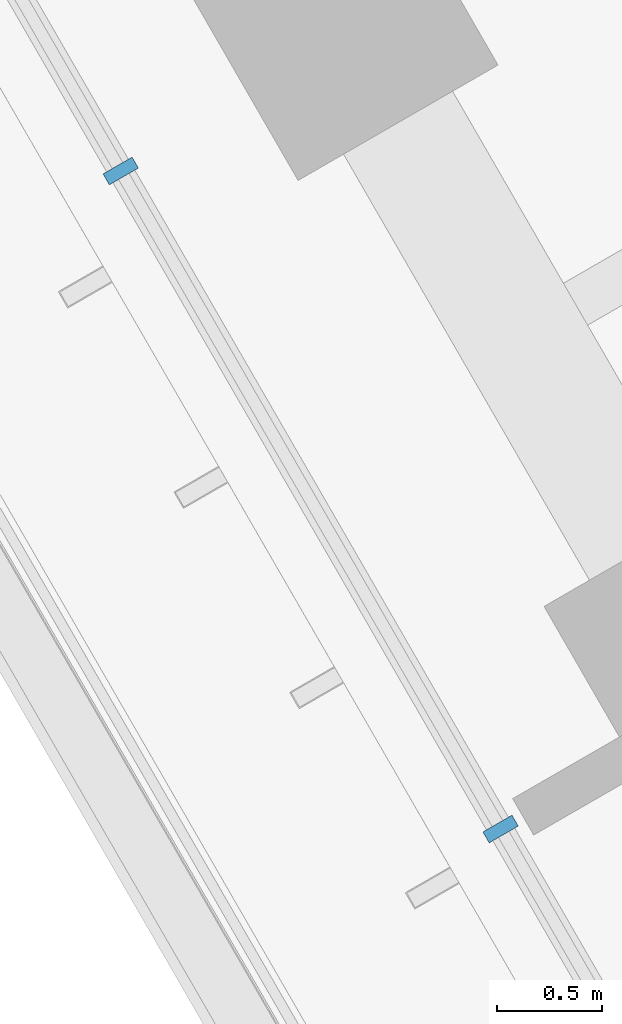
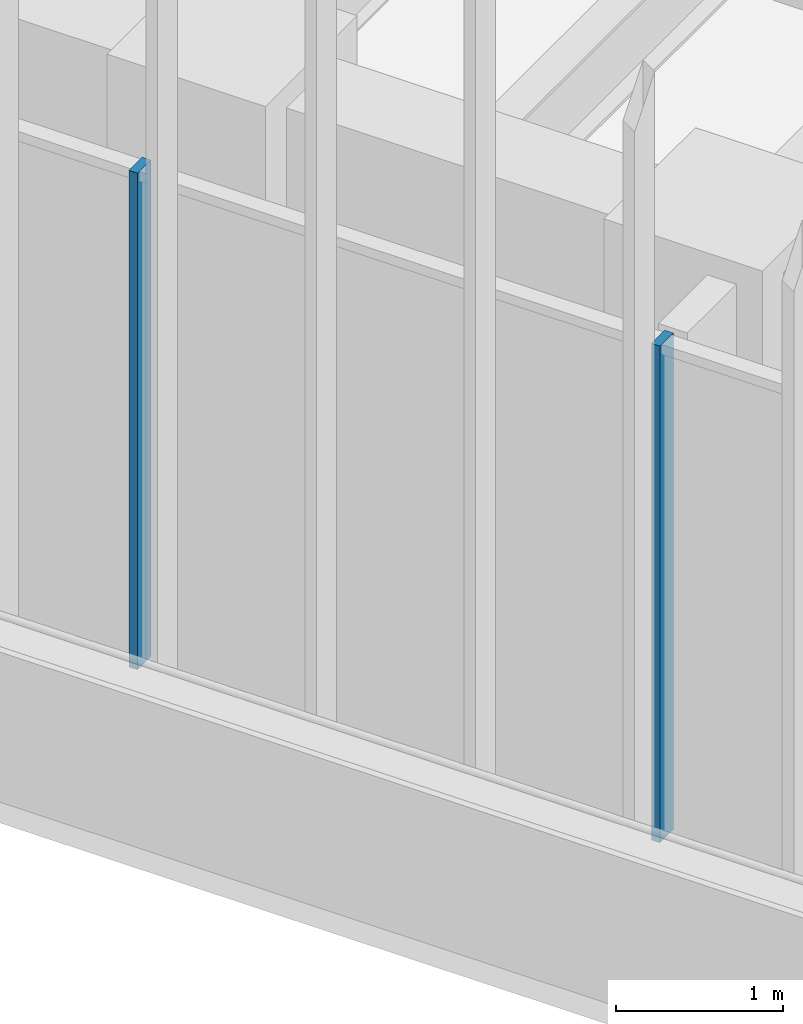
# One storey, part 5 of 127: 2 members, 1 element without a shape of its own.
"""IFC4 building model written with IfcOpenShell, lengths in metres."""

from ifc_helpers import new_model, si_unit, direction, frame, origin, origin_2d, place, context, subcontext, project, spatial, rectangle, extrude, material, material_profile, profile_set, type_object, element, aggregate, save


model = new_model("IFC4")

# Units and contexts
model_context = context("Model", 3, precision=1e-05, world=origin(), true_north=direction((0.0, 1.0)))
body_context = subcontext(model_context, "Body", "Model", "MODEL_VIEW")
ifc_project = project(units=[si_unit("LENGTHUNIT", "METRE"), si_unit("AREAUNIT", "SQUARE_METRE"), si_unit("VOLUMEUNIT", "CUBIC_METRE"), si_unit("PLANEANGLEUNIT", "RADIAN"), si_unit("MASSUNIT", "GRAM", prefix="KILO")], contexts=[model_context])

# Site, building, storey
site_placement = place(None, origin())
site = spatial("IfcSite", under=ifc_project, at=site_placement, CompositionType="ELEMENT")
building_placement = place(site_placement, origin())
building = spatial("IfcBuilding", under=site, at=building_placement, Name="Sandreach Pilgrim Tower", CompositionType="ELEMENT")
storey_placement = place(building_placement, frame((0.0, 0.0, 257.0)))
storey = spatial("IfcBuildingStorey", under=building, at=storey_placement, Name="L64", CompositionType="ELEMENT", Elevation=257.0)

# Curtain wall, members
ifc_material_1 = material(Name="Aluminium framed curtain wall", Category="aluminium")
curtain_wall_type = type_object("IfcCurtainWallType", Name="Suite tower curtain wall", PredefinedType="NOTDEFINED", material=ifc_material_1)
curtain_wall_placement = place(storey_placement, origin())
curtain_wall = element("IfcCurtainWall", 1, at=curtain_wall_placement, inside=storey, type_object=curtain_wall_type, Name="CW-4 L64 SW", PredefinedType="NOTDEFINED")
ifc_material_2 = material(Name="Aluminium extrusion", Category="aluminium")
ifc_material_profile = material_profile(ifc_material_2, rectangle(XDim=0.06005859375, YDim=0.159912109375, at=origin_2d()), Name="CW-4M 60X160")
ifc_profile_set = profile_set([ifc_material_profile], Name="Aluminium extrusion")
member_type = type_object("IfcMemberType", Name="CW-4 mullion", PredefinedType="MULLION", material=ifc_profile_set)
member_1_placement = place(storey_placement, frame((-14.453857421875, -14.6181640625, 0.0), z_axis=(0.0, 0.0, 1.0), x_axis=(-0.5, 0.866025403784, 0.0)))
member_1 = element("IfcMember", 2, at=member_1_placement, type_object=member_type, Name="CW-4 mullion 4", PredefinedType="MULLION", context=body_context, shape_type="SweptSolid", body=[
    extrude(rectangle(XDim=0.06005859375, YDim=0.159912109375, at=origin_2d()), origin(), (0.0, 0.0, 1.0), 3.639892578125),
])
member_2_placement = place(storey_placement, frame((-16.2646484375, -11.4814453125, 0.0), z_axis=(0.0, 0.0, 1.0), x_axis=(-0.5, 0.866025403784, 0.0)))
member_2 = element("IfcMember", 3, at=member_2_placement, type_object=member_type, Name="CW-4 mullion 5", PredefinedType="MULLION", context=body_context, shape_type="SweptSolid", body=[
    extrude(rectangle(XDim=0.06005859375, YDim=0.159912109375, at=origin_2d()), origin(), (0.0, 0.0, 1.0), 3.639892578125),
])
aggregate(curtain_wall, [member_1, member_2])

save(model, "model.ifc")
